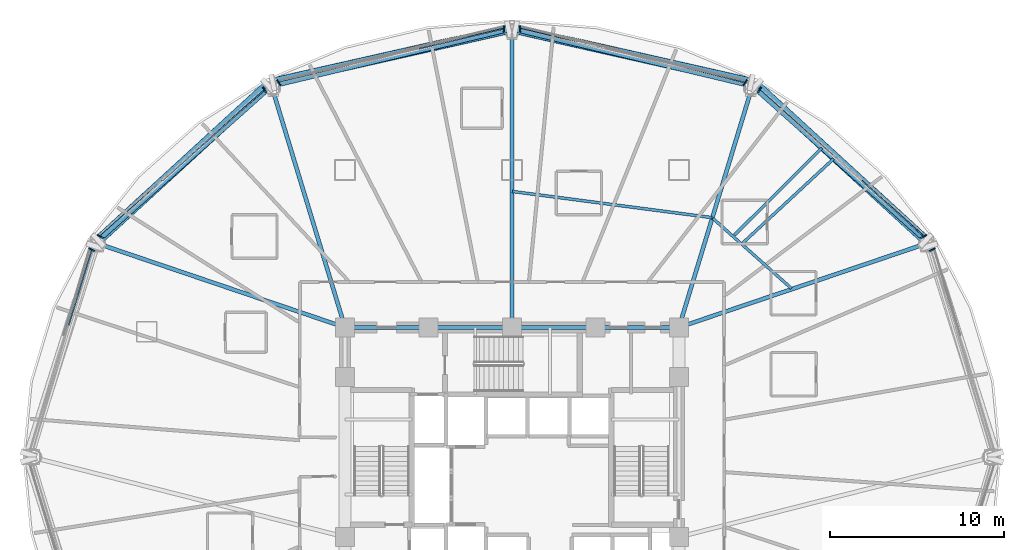
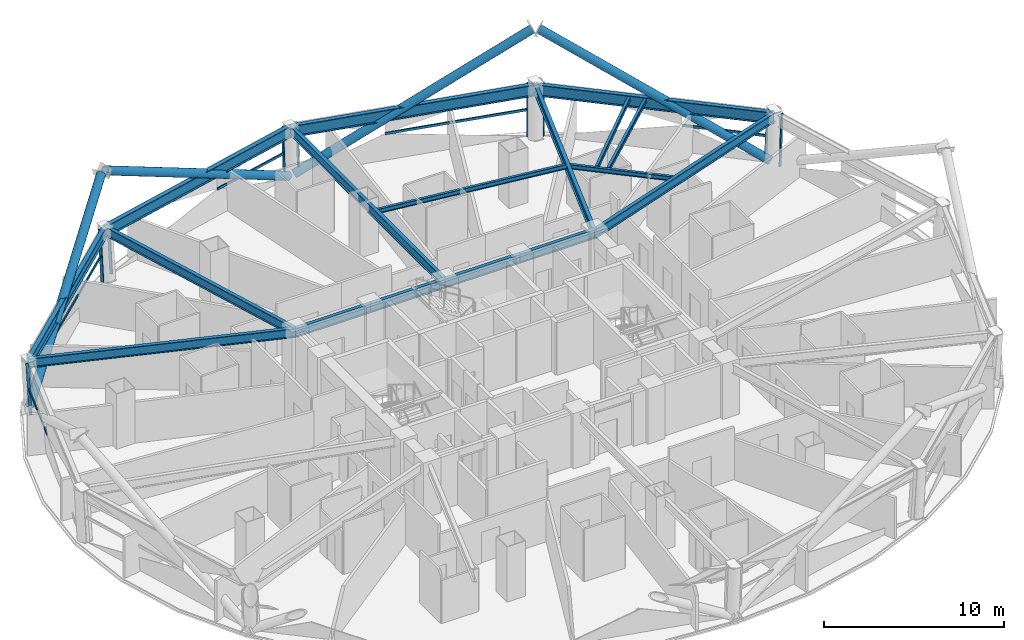
# One storey, part 4 of 16: 19 members, 17 beams, 6 elements without a shape of their own.
"""IFC4 building model written with IfcOpenShell, lengths in metres."""

from ifc_helpers import new_model, si_unit, direction, frame, origin, origin_2d, place, context, subcontext, project, spatial, hollow_rectangle, hollow_circle, i_section, extrude, material, layer, layer_set, material_profile, profile_set, type_object, element, aggregate, save


model = new_model("IFC4")

# Units and contexts
model_context = context("Model", 3, precision=1e-05, world=origin(), true_north=direction((0.0, 1.0)))
body_context = subcontext(model_context, "Body", "Model", "MODEL_VIEW")
ifc_project = project(units=[si_unit("LENGTHUNIT", "METRE"), si_unit("AREAUNIT", "SQUARE_METRE"), si_unit("VOLUMEUNIT", "CUBIC_METRE"), si_unit("PLANEANGLEUNIT", "RADIAN"), si_unit("MASSUNIT", "GRAM", prefix="KILO")], contexts=[model_context])

# Site, building, storey
site_placement = place(None, origin())
site = spatial("IfcSite", under=ifc_project, at=site_placement, CompositionType="ELEMENT")
building_placement = place(site_placement, origin())
building = spatial("IfcBuilding", under=site, at=building_placement, Name="Vantalir Tower", CompositionType="ELEMENT")
storey_placement = place(building_placement, frame((0.0, 0.0, 64.5)))
storey = spatial("IfcBuildingStorey", under=building, at=storey_placement, Name="L15", CompositionType="ELEMENT", Elevation=64.5)

# Beams
ifc_material_1 = material(Name="Steel S355", Category="steel")
ifc_material_profile_1 = material_profile(ifc_material_1, i_section(OverallWidth=0.166015625, OverallDepth=0.306884765625, WebThickness=0.006591796875, FlangeThickness=0.01171875, at=origin_2d()), Name="Steel S355")
ifc_profile_set_1 = profile_set([ifc_material_profile_1], Name="Steel S355")
beam_type_1 = type_object("IfcBeamType", Name="BM-JS-305x165", PredefinedType="JOIST", material=ifc_profile_set_1)
beam_1_placement = place(storey_placement, frame((47.56591796875, 34.694091796875, 3.3359375), z_axis=(-0.746700324798, 0.665160600867, 0.0), x_axis=(-0.665160600867, -0.746700324798, 0.0)))
element("IfcBeam", 1, at=beam_1_placement, inside=storey, type_object=beam_type_1, Name="L15 Sky Garden SG1 Planter Sub-Girder 1", PredefinedType="JOIST", context=body_context, shape_type="SweptSolid", body=[
    extrude(i_section(OverallWidth=0.166015625, OverallDepth=0.306884765625, WebThickness=0.006591796875, FlangeThickness=0.01171875, at=origin_2d()), origin(), (0.0, 0.0, 1.0), 6.045166015625),
])
beam_2_placement = place(storey_placement, frame((42.9990234375, 38.762939453125, 3.3359375), z_axis=(-0.99151447692, 0.129996315559, 0.0), x_axis=(-0.129996315559, -0.99151447692, 0.0)))
element("IfcBeam", 2, at=beam_2_placement, inside=storey, type_object=beam_type_1, Name="L15 Sky Garden SG1 Planter Sub-Girder 2", PredefinedType="JOIST", context=body_context, shape_type="SweptSolid", body=[
    extrude(i_section(OverallWidth=0.166015625, OverallDepth=0.306884765625, WebThickness=0.006591796875, FlangeThickness=0.01171875, at=origin_2d()), origin(), (0.0, 0.0, 1.0), 11.578125),
])
beam_3_placement = place(storey_placement, frame((44.77392578125, 37.30810546875, 3.3359375), z_axis=(0.73330764801, 0.679896972614, 0.0), x_axis=(-0.679896972614, 0.73330764801, 0.0)))
element("IfcBeam", 3, at=beam_3_placement, inside=storey, type_object=beam_type_1, Name="L15 Sky Garden SG1 Pier Tie Beam M1", PredefinedType="JOIST", context=body_context, shape_type="SweptSolid", body=[
    extrude(i_section(OverallWidth=0.166015625, OverallDepth=0.306884765625, WebThickness=0.006591796875, FlangeThickness=0.01171875, at=origin_2d()), origin(), (0.0, 0.0, 1.0), 7.116943359375),
])
beam_4_placement = place(storey_placement, frame((44.279052734375, 37.75, 3.3359375), z_axis=(0.707948829802, 0.706263728633, 0.0), x_axis=(-0.706263728633, 0.707948829802, 0.0)))
element("IfcBeam", 4, at=beam_4_placement, inside=storey, type_object=beam_type_1, Name="L15 Sky Garden SG1 Pier Tie Beam M2", PredefinedType="JOIST", context=body_context, shape_type="SweptSolid", body=[
    extrude(i_section(OverallWidth=0.166015625, OverallDepth=0.306884765625, WebThickness=0.006591796875, FlangeThickness=0.01171875, at=origin_2d()), origin(), (0.0, 0.0, 1.0), 7.09912109375),
])
ifc_material_profile_2 = material_profile(ifc_material_1, i_section(OverallWidth=0.22998046875, OverallDepth=0.616943359375, WebThickness=0.01318359375, FlangeThickness=0.022216796875, at=origin_2d()), Name="Steel S355")
ifc_profile_set_2 = profile_set([ifc_material_profile_2], Name="Steel S355")
beam_type_2 = type_object("IfcBeamType", Name="BM-RB-610x229", PredefinedType="BEAM", material=ifc_profile_set_2)
for number, where, z_axis, x_axis, name in (
    (5, (41.10009765625, 32.449951171875, 3.261962890625), (-1.0, 0.0, 0.0), (0.0, -1.0, 0.0), "L15 Core Coupling Girder 08"),
    (6, (36.300048828125, 32.449951171875, 3.261962890625), (-1.0, 0.0, 0.0), (0.0, -1.0, 0.0), "L15 Core Coupling Girder 09"),
    (7, (31.5, 32.449951171875, 3.261962890625), (-1.0, 0.0, 0.0), (0.0, -1.0, 0.0), "L15 Core Coupling Girder 10"),
    (8, (26.699951171875, 32.449951171875, 3.261962890625), (-1.0, 0.0, 0.0), (0.0, -1.0, 0.0), "L15 Core Coupling Girder 11"),
):
    element("IfcBeam", number, at=place(storey_placement, frame(where, z_axis=z_axis, x_axis=x_axis)), inside=storey, type_object=beam_type_2, Name=name, PredefinedType="BEAM", context=body_context, shape_type="SweptSolid", body=[
        extrude(i_section(OverallWidth=0.22998046875, OverallDepth=0.616943359375, WebThickness=0.01318359375, FlangeThickness=0.022216796875, at=origin_2d()), origin(), (0.0, 0.0, 1.0), 4.800048828125),
    ])
beam_5_placement = place(storey_placement, frame((55.446044921875, 37.31396484375, 3.221923828125), z_axis=(-0.947046193485, -0.321097348799, 0.0), x_axis=(0.321097348799, -0.947046193485, 0.0)))
element("IfcBeam", 9, at=beam_5_placement, inside=storey, type_object=beam_type_2, Name="L15 Radial Floor Beam 02", PredefinedType="BEAM", context=body_context, shape_type="SweptSolid", body=[
    extrude(i_section(OverallWidth=0.22998046875, OverallDepth=0.616943359375, WebThickness=0.01318359375, FlangeThickness=0.022216796875, at=origin_2d()), origin(), (0.0, 0.0, 1.0), 15.148193359375),
])
beam_6_placement = place(storey_placement, frame((45.324951171875, 46.3291015625, 3.221923828125), z_axis=(-0.29120982872, -0.956659205599, 0.0), x_axis=(0.956659205599, -0.29120982872, 0.0)))
element("IfcBeam", 10, at=beam_6_placement, inside=storey, type_object=beam_type_2, Name="L15 Radial Floor Beam 03", PredefinedType="BEAM", context=body_context, shape_type="SweptSolid", body=[
    extrude(i_section(OverallWidth=0.22998046875, OverallDepth=0.616943359375, WebThickness=0.01318359375, FlangeThickness=0.022216796875, at=origin_2d()), origin(), (0.0, 0.0, 1.0), 14.508056640625),
])
beam_7_placement = place(storey_placement, frame((31.5, 49.62890625, 3.261962890625), z_axis=(0.0, -1.0, 0.0), x_axis=(1.0, 0.0, 0.0)))
element("IfcBeam", 11, at=beam_7_placement, inside=storey, type_object=beam_type_2, Name="L15 Radial Floor Beam 04", PredefinedType="BEAM", context=body_context, shape_type="SweptSolid", body=[
    extrude(i_section(OverallWidth=0.22998046875, OverallDepth=0.616943359375, WebThickness=0.01318359375, FlangeThickness=0.022216796875, at=origin_2d()), origin(), (0.0, 0.0, 1.0), 17.178955078125),
])
beam_8_placement = place(storey_placement, frame((17.675048828125, 46.3291015625, 3.261962890625), z_axis=(0.29120982872, -0.956659205599, 0.0), x_axis=(0.956659205599, 0.29120982872, 0.0)))
element("IfcBeam", 12, at=beam_8_placement, inside=storey, type_object=beam_type_2, Name="L15 Radial Floor Beam 05", PredefinedType="BEAM", context=body_context, shape_type="SweptSolid", body=[
    extrude(i_section(OverallWidth=0.22998046875, OverallDepth=0.616943359375, WebThickness=0.01318359375, FlangeThickness=0.022216796875, at=origin_2d()), origin(), (0.0, 0.0, 1.0), 14.508056640625),
])
beam_9_placement = place(storey_placement, frame((7.553955078125, 37.31396484375, 3.261962890625), z_axis=(0.947046193485, -0.321097348799, 0.0), x_axis=(0.321097348799, 0.947046193485, 0.0)))
element("IfcBeam", 13, at=beam_9_placement, inside=storey, type_object=beam_type_2, Name="L15 Radial Floor Beam 06", PredefinedType="BEAM", context=body_context, shape_type="SweptSolid", body=[
    extrude(i_section(OverallWidth=0.22998046875, OverallDepth=0.616943359375, WebThickness=0.01318359375, FlangeThickness=0.022216796875, at=origin_2d()), origin(), (0.0, 0.0, 1.0), 15.148193359375),
])
ifc_material_2 = material(Name="Steel S460", Category="steel")
ifc_material_profile_3 = material_profile(ifc_material_2, i_section(OverallWidth=0.26806640625, OverallDepth=0.77001953125, WebThickness=0.015625, FlangeThickness=0.025390625, at=origin_2d()), Name="Steel S460")
ifc_profile_set_3 = profile_set([ifc_material_profile_3], Name="Steel S460")
beam_type_3 = type_object("IfcBeamType", Name="BM-RG-762x267", PredefinedType="USERDEFINED", material=ifc_profile_set_3)
beam_10_placement = place(storey_placement, frame((55.446044921875, 37.31396484375, 3.14501953125), z_axis=(-0.746727182206, 0.665130449878, 0.0), x_axis=(-0.665130449878, -0.746727182206, 0.0)))
element("IfcBeam", 14, at=beam_10_placement, inside=storey, type_object=beam_type_3, Name="L15 Circumferential Ring Girder 02", ObjectType="GIRDER", PredefinedType="USERDEFINED", context=body_context, shape_type="SweptSolid", body=[
    extrude(i_section(OverallWidth=0.26806640625, OverallDepth=0.77001953125, WebThickness=0.015625, FlangeThickness=0.025390625, at=origin_2d()), origin(), (0.0, 0.0, 1.0), 13.553955078125),
])
for number, where, z_axis, x_axis, name in (
    (15, (45.324951171875, 46.3291015625, 3.14501953125), (-0.972676867925, 0.232163112064, 0.0), (-0.232163112064, -0.972676867925, 0.0), "L15 Circumferential Ring Girder 03"),
    (16, (31.5, 49.62890625, 3.18505859375), (-0.972676867925, -0.232163112064, 0.0), (0.232163112064, -0.972676867925, 0.0), "L15 Circumferential Ring Girder 04"),
):
    element("IfcBeam", number, at=place(storey_placement, frame(where, z_axis=z_axis, x_axis=x_axis)), inside=storey, type_object=beam_type_3, Name=name, ObjectType="GIRDER", PredefinedType="USERDEFINED", context=body_context, shape_type="SweptSolid", body=[
        extrude(i_section(OverallWidth=0.26806640625, OverallDepth=0.77001953125, WebThickness=0.015625, FlangeThickness=0.025390625, at=origin_2d()), origin(), (0.0, 0.0, 1.0), 14.21337890625),
    ])
beam_11_placement = place(storey_placement, frame((17.675048828125, 46.3291015625, 3.18505859375), z_axis=(-0.746727182206, -0.665130449878, 0.0), x_axis=(0.665130449878, -0.746727182206, 0.0)))
element("IfcBeam", 17, at=beam_11_placement, inside=storey, type_object=beam_type_3, Name="L15 Circumferential Ring Girder 05", ObjectType="GIRDER", PredefinedType="USERDEFINED", context=body_context, shape_type="SweptSolid", body=[
    extrude(i_section(OverallWidth=0.26806640625, OverallDepth=0.77001953125, WebThickness=0.015625, FlangeThickness=0.025390625, at=origin_2d()), origin(), (0.0, 0.0, 1.0), 13.553955078125),
])

# Curtain wall, member
ifc_material_3 = material(Name="Champagne-silver PVDF aluminium and double-silver Low-E glass", Category="aluminium")
ifc_layer = layer(ifc_material_3, 0.18994140625)
ifc_layer_set = layer_set([ifc_layer], Name="Champagne-silver PVDF aluminium and double-silver Low-E glass")
curtain_wall_type = type_object("IfcCurtainWallType", Name="CW-DIAMOND-Z1", PredefinedType="USERDEFINED", material=ifc_layer_set)
curtain_wall_1_placement = place(storey_placement, origin())
curtain_wall_1 = element("IfcCurtainWall", 18, at=curtain_wall_1_placement, inside=storey, type_object=curtain_wall_type, Name="L15 Quilted Pyramid-Diamond Curtain Wall S01", ObjectType="UNITISED CURTAIN WALL", PredefinedType="USERDEFINED")
ifc_material_4 = material(Name="Champagne-silver PVDF aluminium 6063-T6", Category="aluminium")
ifc_material_profile_4 = material_profile(ifc_material_4, hollow_rectangle(XDim=0.074951171875, YDim=0.179931640625, WallThickness=0.00390625, at=origin_2d()), Name="Champagne-silver PVDF aluminium 6063-T6")
ifc_profile_set_4 = profile_set([ifc_material_profile_4], Name="Champagne-silver PVDF aluminium 6063-T6")
member_type_1 = type_object("IfcMemberType", Name="CWM-180x75", PredefinedType="MULLION", material=ifc_profile_set_4)
member_1_placement = place(storey_placement, frame((55.572998046875, 36.8701171875, 0.044921875), z_axis=(0.049383355368, 0.025497221779, 0.998454393497), x_axis=(-0.458771333009, 0.888554367503, 0.0)))
member_1 = element("IfcMember", 19, at=member_1_placement, type_object=member_type_1, Name="CW-L15-S01 Mullion 2", PredefinedType="MULLION", context=body_context, shape_type="SweptSolid", body=[
    extrude(hollow_rectangle(XDim=0.074951171875, YDim=0.179931640625, WallThickness=0.00390625, at=origin_2d()), origin(), (0.0, 0.0, 1.0), 3.4853515625),
])
aggregate(curtain_wall_1, [member_1])

# Curtain wall, members
curtain_wall_2_placement = place(storey_placement, origin())
curtain_wall_2 = element("IfcCurtainWall", 20, at=curtain_wall_2_placement, inside=storey, type_object=curtain_wall_type, Name="L15 Quilted Pyramid-Diamond Curtain Wall S02", ObjectType="UNITISED CURTAIN WALL", PredefinedType="USERDEFINED")
member_2_placement = place(storey_placement, frame((55.0869140625, 37.633056640625, 0.044921875), z_axis=(0.049383355368, 0.025497221779, 0.998454393497), x_axis=(-0.458771333009, 0.888554367503, 0.0)))
member_2 = element("IfcMember", 21, at=member_2_placement, type_object=member_type_1, Name="CW-L15-S02 Mullion 1", PredefinedType="MULLION", context=body_context, shape_type="SweptSolid", body=[
    extrude(hollow_rectangle(XDim=0.074951171875, YDim=0.179931640625, WallThickness=0.00390625, at=origin_2d()), origin(), (0.0, 0.0, 1.0), 3.4853515625),
])
member_3_placement = place(storey_placement, frame((45.672119140625, 46.027099609375, 0.044921875), z_axis=(0.028373936974, 0.044137235293, 0.998622463277), x_axis=(-0.841178475377, 0.540757591313, 0.0)))
member_3 = element("IfcMember", 22, at=member_3_placement, type_object=member_type_1, Name="CW-L15-S02 Mullion 2", PredefinedType="MULLION", context=body_context, shape_type="SweptSolid", body=[
    extrude(hollow_rectangle(XDim=0.074951171875, YDim=0.179931640625, WallThickness=0.00390625, at=origin_2d()), origin(), (0.0, 0.0, 1.0), 3.48486328125),
])

curtain_wall_3_placement = place(storey_placement, origin())
curtain_wall_3 = element("IfcCurtainWall", 23, at=curtain_wall_3_placement, inside=storey, type_object=curtain_wall_type, Name="L15 Quilted Pyramid-Diamond Curtain Wall S03", ObjectType="UNITISED CURTAIN WALL", PredefinedType="USERDEFINED")
member_4_placement = place(storey_placement, frame((44.864013671875, 46.448974609375, 0.044921875), z_axis=(0.028373849166, 0.04420715759, 0.998619372885), x_axis=(-0.841568257174, 0.540150783131, 0.0)))
member_4 = element("IfcMember", 24, at=member_4_placement, type_object=member_type_1, Name="CW-L15-S03 Mullion 1", PredefinedType="MULLION", context=body_context, shape_type="SweptSolid", body=[
    extrude(hollow_rectangle(XDim=0.074951171875, YDim=0.179931640625, WallThickness=0.00390625, at=origin_2d()), origin(), (0.0, 0.0, 1.0), 3.48486328125),
])
member_5_placement = place(storey_placement, frame((31.95703125, 49.531982421875, 0.044921875), z_axis=(0.0, 0.051076782492, 0.998694729279), x_axis=(-1.0, 0.0, 0.0)))
member_5 = element("IfcMember", 25, at=member_5_placement, type_object=member_type_1, Name="CW-L15-S03 Mullion 2", PredefinedType="MULLION", context=body_context, shape_type="SweptSolid", body=[
    extrude(hollow_rectangle(XDim=0.074951171875, YDim=0.179931640625, WallThickness=0.00390625, at=origin_2d()), origin(), (0.0, 0.0, 1.0), 3.484619140625),
])

curtain_wall_4_placement = place(storey_placement, origin())
curtain_wall_4 = element("IfcCurtainWall", 26, at=curtain_wall_4_placement, inside=storey, type_object=curtain_wall_type, Name="L15 Quilted Pyramid-Diamond Curtain Wall S04", ObjectType="UNITISED CURTAIN WALL", PredefinedType="USERDEFINED")
member_6_placement = place(storey_placement, frame((31.04296875, 49.531982421875, 0.044921875), z_axis=(0.0, 0.051076782492, 0.998694729279), x_axis=(-1.0, 0.0, 0.0)))
member_6 = element("IfcMember", 27, at=member_6_placement, type_object=member_type_1, Name="CW-L15-S04 Mullion 1", PredefinedType="MULLION", context=body_context, shape_type="SweptSolid", body=[
    extrude(hollow_rectangle(XDim=0.074951171875, YDim=0.179931640625, WallThickness=0.00390625, at=origin_2d()), origin(), (0.0, 0.0, 1.0), 3.484619140625),
])
member_7_placement = place(storey_placement, frame((18.136962890625, 46.448974609375, 0.044921875), z_axis=(-0.028653855752, 0.044206804352, 0.998611393386), x_axis=(-0.839141746313, -0.543912795946, 0.0)))
member_7 = element("IfcMember", 28, at=member_7_placement, type_object=member_type_1, Name="CW-L15-S04 Mullion 2", PredefinedType="MULLION", context=body_context, shape_type="SweptSolid", body=[
    extrude(hollow_rectangle(XDim=0.074951171875, YDim=0.179931640625, WallThickness=0.00390625, at=origin_2d()), origin(), (0.0, 0.0, 1.0), 3.48486328125),
])

curtain_wall_5_placement = place(storey_placement, origin())
curtain_wall_5 = element("IfcCurtainWall", 29, at=curtain_wall_5_placement, inside=storey, type_object=curtain_wall_type, Name="L15 Quilted Pyramid-Diamond Curtain Wall S05", ObjectType="UNITISED CURTAIN WALL", PredefinedType="USERDEFINED")
member_8_placement = place(storey_placement, frame((17.3291015625, 46.027099609375, 0.044921875), z_axis=(-0.028723945236, 0.0441367939, 0.998612476587), x_axis=(-0.8381395326, -0.545455886295, 0.0)))
member_8 = element("IfcMember", 30, at=member_8_placement, type_object=member_type_1, Name="CW-L15-S05 Mullion 1", PredefinedType="MULLION", context=body_context, shape_type="SweptSolid", body=[
    extrude(hollow_rectangle(XDim=0.074951171875, YDim=0.179931640625, WallThickness=0.00390625, at=origin_2d()), origin(), (0.0, 0.0, 1.0), 3.48486328125),
])
member_9_placement = place(storey_placement, frame((7.9130859375, 37.633056640625, 0.044921875), z_axis=(-0.049383355368, 0.025497221779, 0.998454393497), x_axis=(-0.458771333009, -0.888554367503, 0.0)))
member_9 = element("IfcMember", 31, at=member_9_placement, type_object=member_type_1, Name="CW-L15-S05 Mullion 2", PredefinedType="MULLION", context=body_context, shape_type="SweptSolid", body=[
    extrude(hollow_rectangle(XDim=0.074951171875, YDim=0.179931640625, WallThickness=0.00390625, at=origin_2d()), origin(), (0.0, 0.0, 1.0), 3.4853515625),
])

# Curtain wall, member
curtain_wall_6_placement = place(storey_placement, origin())
curtain_wall_6 = element("IfcCurtainWall", 32, at=curtain_wall_6_placement, inside=storey, type_object=curtain_wall_type, Name="L15 Quilted Pyramid-Diamond Curtain Wall S06", ObjectType="UNITISED CURTAIN WALL", PredefinedType="USERDEFINED")
member_10_placement = place(storey_placement, frame((7.427001953125, 36.8701171875, 0.044921875), z_axis=(-0.049383355368, 0.025497221779, 0.998454393497), x_axis=(-0.458771333009, -0.888554367503, 0.0)))
member_10 = element("IfcMember", 33, at=member_10_placement, type_object=member_type_1, Name="CW-L15-S06 Mullion 1", PredefinedType="MULLION", context=body_context, shape_type="SweptSolid", body=[
    extrude(hollow_rectangle(XDim=0.074951171875, YDim=0.179931640625, WallThickness=0.00390625, at=origin_2d()), origin(), (0.0, 0.0, 1.0), 3.4853515625),
])

# Member
ifc_material_profile_5 = material_profile(ifc_material_4, hollow_rectangle(XDim=0.074951171875, YDim=0.159912109375, WallThickness=0.00390625, at=origin_2d()), Name="Champagne-silver PVDF aluminium 6063-T6")
ifc_profile_set_5 = profile_set([ifc_material_profile_5], Name="Champagne-silver PVDF aluminium 6063-T6")
member_type_2 = type_object("IfcMemberType", Name="CWT-160x75", PredefinedType="USERDEFINED", material=ifc_profile_set_5)
member_11_placement = place(storey_placement, frame((55.173095703125, 37.677001953125, 1.784912109375), z_axis=(-0.743155258627, 0.669119018991, 0.0), x_axis=(-0.669119018991, -0.743155258627, 0.0)))
member_11 = element("IfcMember", 34, at=member_11_placement, type_object=member_type_2, Name="CW-L15-S02 Pyramid Fold Ridge Transom", ObjectType="TRANSOM", PredefinedType="USERDEFINED", context=body_context, shape_type="SweptSolid", body=[
    extrude(hollow_rectangle(XDim=0.074951171875, YDim=0.159912109375, WallThickness=0.00390625, at=origin_2d()), origin(), (0.0, 0.0, 1.0), 4.807861328125),
])

aggregate(curtain_wall_2, [member_2, member_3, member_11])

member_12_placement = place(storey_placement, frame((44.9130859375, 46.52587890625, 1.784912109375), z_axis=(-0.971956049575, 0.235162577158, 0.0), x_axis=(-0.235162577158, -0.971956049575, 0.0)))
member_12 = element("IfcMember", 35, at=member_12_placement, type_object=member_type_2, Name="CW-L15-S03 Pyramid Fold Ridge Transom", ObjectType="TRANSOM", PredefinedType="USERDEFINED", context=body_context, shape_type="SweptSolid", body=[
    extrude(hollow_rectangle(XDim=0.074951171875, YDim=0.159912109375, WallThickness=0.00390625, at=origin_2d()), origin(), (0.0, 0.0, 1.0), 8.2587890625),
])

aggregate(curtain_wall_3, [member_4, member_5, member_12])

member_13_placement = place(storey_placement, frame((31.04296875, 49.62109375, 1.784912109375), z_axis=(-0.973710488152, -0.22778912455, 0.0), x_axis=(0.22778912455, -0.973710488152, 0.0)))
member_13 = element("IfcMember", 36, at=member_13_placement, type_object=member_type_2, Name="CW-L15-S04 Pyramid Fold Ridge Transom", ObjectType="TRANSOM", PredefinedType="USERDEFINED", context=body_context, shape_type="SweptSolid", body=[
    extrude(hollow_rectangle(XDim=0.074951171875, YDim=0.159912109375, WallThickness=0.00390625, at=origin_2d()), origin(), (0.0, 0.0, 1.0), 5.06201171875),
])

aggregate(curtain_wall_4, [member_6, member_7, member_13])

member_14_placement = place(storey_placement, frame((17.279052734375, 46.10400390625, 1.784912109375), z_axis=(-0.748416708066, -0.663228792414, 0.0), x_axis=(0.663228792414, -0.748416708066, 0.0)))
member_14 = element("IfcMember", 37, at=member_14_placement, type_object=member_type_2, Name="CW-L15-S05 Pyramid Fold Ridge Transom", ObjectType="TRANSOM", PredefinedType="USERDEFINED", context=body_context, shape_type="SweptSolid", body=[
    extrude(hollow_rectangle(XDim=0.074951171875, YDim=0.159912109375, WallThickness=0.00390625, at=origin_2d()), origin(), (0.0, 0.0, 1.0), 7.85546875),
])

aggregate(curtain_wall_5, [member_8, member_9, member_14])

member_15_placement = place(storey_placement, frame((7.341064453125, 36.9140625, 1.784912109375), z_axis=(-0.293044743292, -0.95609872839, 0.0), x_axis=(0.95609872839, -0.293044743292, 0.0)))
member_15 = element("IfcMember", 38, at=member_15_placement, type_object=member_type_2, Name="CW-L15-S06 Pyramid Fold Ridge Transom", ObjectType="TRANSOM", PredefinedType="USERDEFINED", context=body_context, shape_type="SweptSolid", body=[
    extrude(hollow_rectangle(XDim=0.074951171875, YDim=0.159912109375, WallThickness=0.00390625, at=origin_2d()), origin(), (0.0, 0.0, 1.0), 4.548828125),
])

aggregate(curtain_wall_6, [member_10, member_15])

# Members
ifc_material_profile_6 = material_profile(ifc_material_2, hollow_circle(Radius=0.27001953125, WallThickness=0.044921875, at=origin_2d()), Name="Steel S460")
ifc_profile_set_6 = profile_set([ifc_material_profile_6], Name="Steel S460")
member_type_3 = type_object("IfcMemberType", Name="MEM-DB-540x45", PredefinedType="BRACE", material=ifc_profile_set_6)
member_16_placement = place(storey_placement, frame((55.2939453125, 37.450927734375, 0.18310546875), z_axis=(-0.652366303768, 0.597530475053, 0.466235495314), x_axis=(-0.675434672156, -0.737419828625, 0.0)))
element("IfcMember", 39, at=member_16_placement, inside=storey, type_object=member_type_3, Name="L15 Perimeter S460 Diagrid Brace R04L", PredefinedType="BRACE", context=body_context, shape_type="SweptSolid", body=[
    extrude(hollow_circle(Radius=0.27001953125, WallThickness=0.044921875, at=origin_2d()), origin(), (0.0, 0.0, 1.0), 14.914794921875),
])
for number, where, z_axis, x_axis, name in (
    (40, (31.30810546875, 49.597900390625, 0.178955078125), (-0.87181782299, -0.197135488905, 0.448409726178), (0.220551897326, -0.975375240913, 0.0), "L15 Perimeter S460 Diagrid Brace R10L"),
    (41, (31.69189453125, 49.597900390625, 0.178955078125), (0.87181782299, -0.197135488905, 0.448409726178), (0.220551897326, 0.975375240913, 0.0), "L15 Perimeter S460 Diagrid Brace R10R"),
):
    element("IfcMember", number, at=place(storey_placement, frame(where, z_axis=z_axis, x_axis=x_axis)), inside=storey, type_object=member_type_3, Name=name, PredefinedType="BRACE", context=body_context, shape_type="SweptSolid", body=[
        extrude(hollow_circle(Radius=0.27001953125, WallThickness=0.044921875, at=origin_2d()), origin(), (0.0, 0.0, 1.0), 15.5263671875),
    ])
member_17_placement = place(storey_placement, frame((7.7060546875, 37.450927734375, 0.18310546875), z_axis=(0.652366303768, 0.597530475053, 0.466235495314), x_axis=(-0.675434672156, 0.737419828625, 0.0)))
element("IfcMember", 42, at=member_17_placement, inside=storey, type_object=member_type_3, Name="L15 Perimeter S460 Diagrid Brace R16R", PredefinedType="BRACE", context=body_context, shape_type="SweptSolid", body=[
    extrude(hollow_circle(Radius=0.27001953125, WallThickness=0.044921875, at=origin_2d()), origin(), (0.0, 0.0, 1.0), 14.914794921875),
])

save(model, "model.ifc")
